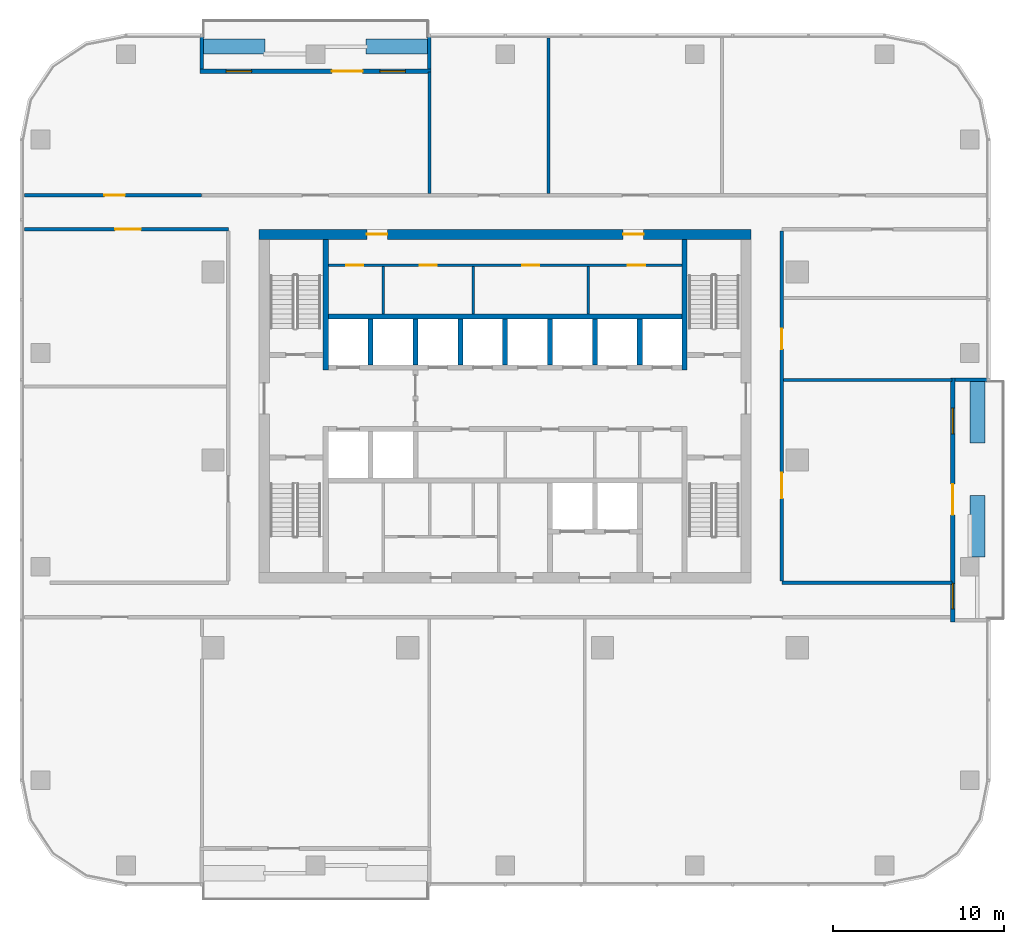
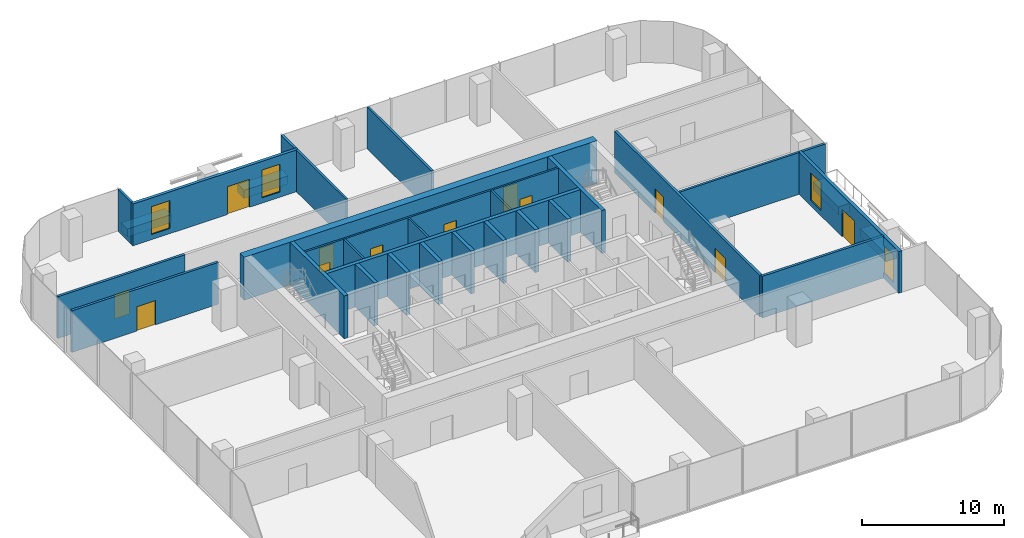
# One storey, part 9 of 14: 31 walls, 12 doors, 4 windows, 16 openings.
"""IFC4 building model written with IfcOpenShell, lengths in metres."""

from ifc_helpers import new_model, si_unit, direction, frame, frame_2d, origin, place, context, subcontext, project, spatial, rectangle, extrude, material, layer, layer_set, type_object, element, fill, save


model = new_model("IFC4")

# Units and contexts
model_context = context("Model", 3, precision=1e-05, world=origin(), true_north=direction((0.0, 1.0)))
body_context = subcontext(model_context, "Body", "Model", "MODEL_VIEW")
ifc_project = project(units=[si_unit("LENGTHUNIT", "METRE"), si_unit("AREAUNIT", "SQUARE_METRE"), si_unit("VOLUMEUNIT", "CUBIC_METRE"), si_unit("PLANEANGLEUNIT", "RADIAN"), si_unit("MASSUNIT", "GRAM", prefix="KILO")], contexts=[model_context])

# Site, building, storey
site_placement = place(None, origin())
site = spatial("IfcSite", under=ifc_project, at=site_placement, CompositionType="ELEMENT")
building_placement = place(site_placement, origin())
building = spatial("IfcBuilding", under=site, at=building_placement, Name="Mopane Tessera Tower", CompositionType="ELEMENT")
storey_placement = place(building_placement, frame((0.0, 0.0, 219.0)))
storey = spatial("IfcBuildingStorey", under=building, at=storey_placement, Name="L46", CompositionType="ELEMENT", Elevation=219.0)

# Walls
ifc_material_1 = material(Name="Fire-rated gypsum board partition")
ifc_layer_1 = layer(ifc_material_1, 0.14990234375)
ifc_layer_set_1 = layer_set([ifc_layer_1], Name="Fire-rated gypsum board partition")
wall_type_1 = type_object("IfcWallType", Name="Core room partition 150 mm", PredefinedType="PARTITIONING", material=ifc_layer_set_1)
for number, where, z_axis, x_axis, name in (
    (1, (-7.125, 8.550048828125, 0.0), (0.0, 0.0, 1.0), (0.0, 1.0, 0.0), "L46 Room partition"),
    (2, (-1.875, 8.550048828125, 0.0), (0.0, 0.0, 1.0), (0.0, 1.0, 0.0), "L46 Room partition"),
    (3, (4.875, 8.550048828125, 0.0), (0.0, 0.0, 1.0), (0.0, 1.0, 0.0), "L46 Room partition"),
):
    element("IfcWall", number, at=place(storey_placement, frame(where, z_axis=z_axis, x_axis=x_axis)), inside=storey, type_object=wall_type_1, Name=name, PredefinedType="PARTITIONING", context=body_context, shape_type="SweptSolid", body=[
        extrude(rectangle(XDim=2.77490234375, YDim=0.14990234375, at=frame_2d((1.387451171875, 0.0))), origin(), (0.0, 0.0, 1.0), 3.699951171875),
    ])

# Wall, openings, doors
wall_1_placement = place(storey_placement, frame((-10.35009765625, 11.39990234375, 0.0), z_axis=(0.0, 0.0, 1.0), x_axis=(1.0, 0.0, 0.0)))
wall_1 = element("IfcWall", 4, at=wall_1_placement, inside=storey, type_object=wall_type_1, Name="L46 Corridor wall", PredefinedType="PARTITIONING", context=body_context, shape_type="SweptSolid", body=[
    extrude(rectangle(XDim=20.7001953125, YDim=0.14990234375, at=frame_2d((10.35009765625, 0.0))), origin(), (0.0, 0.0, 1.0), 3.699951171875),
])
opening_1_placement = place(wall_1_placement, frame((1.03759765625, 0.0, 0.0)))
opening_1 = element("IfcOpeningElement", 5, at=opening_1_placement, cuts=wall_1, Name="Opening RD1", PredefinedType="OPENING", context=body_context, shape_type="SweptSolid", body=[
    extrude(rectangle(XDim=1.0, YDim=2.10009765625, at=frame_2d((0.5, 1.050048828125))), frame((0.0, 0.0869140625, 0.0), z_axis=(0.0, -1.0, 0.0), x_axis=(1.0, 0.0, 0.0)), (0.0, 0.0, 1.0), 0.173828125),
])
opening_2_placement = place(wall_1_placement, frame((5.35009765625, 0.0, 0.0)))
opening_2 = element("IfcOpeningElement", 6, at=opening_2_placement, cuts=wall_1, Name="Opening RD1", PredefinedType="OPENING", context=body_context, shape_type="SweptSolid", body=[
    extrude(rectangle(XDim=1.0, YDim=2.10009765625, at=frame_2d((0.5, 1.050048828125))), frame((0.0, 0.0869140625, 0.0), z_axis=(0.0, -1.0, 0.0), x_axis=(1.0, 0.0, 0.0)), (0.0, 0.0, 1.0), 0.173828125),
])
opening_3_placement = place(wall_1_placement, frame((11.35009765625, 0.0, 0.0)))
opening_3 = element("IfcOpeningElement", 7, at=opening_3_placement, cuts=wall_1, Name="Opening RD1", PredefinedType="OPENING", context=body_context, shape_type="SweptSolid", body=[
    extrude(rectangle(XDim=1.0, YDim=2.10009765625, at=frame_2d((0.5, 1.050048828125))), frame((0.0, 0.0869140625, 0.0), z_axis=(0.0, -1.0, 0.0), x_axis=(1.0, 0.0, 0.0)), (0.0, 0.0, 1.0), 0.173828125),
])
opening_4_placement = place(wall_1_placement, frame((17.53759765625, 0.0, 0.0)))
opening_4 = element("IfcOpeningElement", 8, at=opening_4_placement, cuts=wall_1, Name="Opening RD1", PredefinedType="OPENING", context=body_context, shape_type="SweptSolid", body=[
    extrude(rectangle(XDim=1.0, YDim=2.10009765625, at=frame_2d((0.5, 1.050048828125))), frame((0.0, 0.0869140625, 0.0), z_axis=(0.0, -1.0, 0.0), x_axis=(1.0, 0.0, 0.0)), (0.0, 0.0, 1.0), 0.173828125),
])
ifc_material_2 = material(Name="Timber door", Category="wood")
door_type_1 = type_object("IfcDoorType", Name="Core room door 1000 x 2100", OperationType="SINGLE_SWING_LEFT", PredefinedType="DOOR", material=ifc_material_2)
door_1_placement = place(opening_1_placement, origin())
door_1 = element("IfcDoor", 9, at=door_1_placement, inside=storey, type_object=door_type_1, Name="L46 Room door", OperationType="SINGLE_SWING_LEFT", OverallHeight=2.10009765625, OverallWidth=1.0, PredefinedType="DOOR", context=body_context, shape_type="SweptSolid", body=[
    extrude(rectangle(XDim=1.0, YDim=2.10009765625, at=frame_2d((0.5, 1.050048828125))), frame((0.0, 0.02490234375, 0.0), z_axis=(0.0, -1.0, 0.0), x_axis=(1.0, 0.0, 0.0)), (0.0, 0.0, 1.0), 0.050048828125),
])
fill(opening_1, door_1)
door_2_placement = place(opening_2_placement, origin())
door_2 = element("IfcDoor", 10, at=door_2_placement, inside=storey, type_object=door_type_1, Name="L46 Room door", OperationType="SINGLE_SWING_LEFT", OverallHeight=2.10009765625, OverallWidth=1.0, PredefinedType="DOOR", context=body_context, shape_type="SweptSolid", body=[
    extrude(rectangle(XDim=1.0, YDim=2.10009765625, at=frame_2d((0.5, 1.050048828125))), frame((0.0, 0.02490234375, 0.0), z_axis=(0.0, -1.0, 0.0), x_axis=(1.0, 0.0, 0.0)), (0.0, 0.0, 1.0), 0.050048828125),
])
fill(opening_2, door_2)
door_3_placement = place(opening_3_placement, origin())
door_3 = element("IfcDoor", 11, at=door_3_placement, inside=storey, type_object=door_type_1, Name="L46 Room door", OperationType="SINGLE_SWING_LEFT", OverallHeight=2.10009765625, OverallWidth=1.0, PredefinedType="DOOR", context=body_context, shape_type="SweptSolid", body=[
    extrude(rectangle(XDim=1.0, YDim=2.10009765625, at=frame_2d((0.5, 1.050048828125))), frame((0.0, 0.02490234375, 0.0), z_axis=(0.0, -1.0, 0.0), x_axis=(1.0, 0.0, 0.0)), (0.0, 0.0, 1.0), 0.050048828125),
])
fill(opening_3, door_3)
door_4_placement = place(opening_4_placement, origin())
door_4 = element("IfcDoor", 12, at=door_4_placement, inside=storey, type_object=door_type_1, Name="L46 Room door", OperationType="SINGLE_SWING_LEFT", OverallHeight=2.10009765625, OverallWidth=1.0, PredefinedType="DOOR", context=body_context, shape_type="SweptSolid", body=[
    extrude(rectangle(XDim=1.0, YDim=2.10009765625, at=frame_2d((0.5, 1.050048828125))), frame((0.0, 0.02490234375, 0.0), z_axis=(0.0, -1.0, 0.0), x_axis=(1.0, 0.0, 0.0)), (0.0, 0.0, 1.0), 0.050048828125),
])
fill(opening_4, door_4)

ifc_material_3 = material(Name="Concrete C70/85", Category="concrete")
ifc_layer_2 = layer(ifc_material_3, 0.60009765625)
ifc_layer_set_2 = layer_set([ifc_layer_2], Name="Concrete C70/85")
wall_type_2 = type_object("IfcWallType", Name="Core shear wall 600 mm", PredefinedType="SHEAR", material=ifc_layer_set_2)
wall_2_placement = place(storey_placement, frame((-14.39990234375, 13.199951171875, 0.0), z_axis=(0.0, 0.0, 1.0), x_axis=(1.0, 0.0, 0.0)))
wall_2 = element("IfcWall", 13, at=wall_2_placement, inside=storey, type_object=wall_type_2, Name="L46 Core wall north", PredefinedType="SHEAR", context=body_context, shape_type="SweptSolid", body=[
    extrude(rectangle(XDim=28.7998046875, YDim=0.60009765625, at=frame_2d((14.39990234375, 0.0))), origin(), (0.0, 0.0, 1.0), 3.699951171875),
])
opening_5_placement = place(wall_2_placement, frame((6.300048828125, 0.0, 0.0)))
opening_5 = element("IfcOpeningElement", 14, at=opening_5_placement, cuts=wall_2, Name="Opening RD2", PredefinedType="OPENING", context=body_context, shape_type="SweptSolid", body=[
    extrude(rectangle(XDim=1.199951171875, YDim=2.10009765625, at=frame_2d((0.60009765625, 1.050048828125))), frame((0.0, 0.31201171875, 0.0), z_axis=(0.0, -1.0, 0.0), x_axis=(1.0, 0.0, 0.0)), (0.0, 0.0, 1.0), 0.6240234375),
])
opening_6_placement = place(wall_2_placement, frame((21.300048828125, 0.0, 0.0)))
opening_6 = element("IfcOpeningElement", 15, at=opening_6_placement, cuts=wall_2, Name="Opening RD2", PredefinedType="OPENING", context=body_context, shape_type="SweptSolid", body=[
    extrude(rectangle(XDim=1.199951171875, YDim=2.10009765625, at=frame_2d((0.60009765625, 1.050048828125))), frame((0.0, 0.31201171875, 0.0), z_axis=(0.0, -1.0, 0.0), x_axis=(1.0, 0.0, 0.0)), (0.0, 0.0, 1.0), 0.6240234375),
])
ifc_material_4 = material(Name="Timber door", Category="wood")
door_type_2 = type_object("IfcDoorType", Name="Core corridor door 1200 x 2100", OperationType="SINGLE_SWING_LEFT", PredefinedType="DOOR", material=ifc_material_4)
door_5_placement = place(opening_5_placement, origin())
door_5 = element("IfcDoor", 16, at=door_5_placement, inside=storey, type_object=door_type_2, Name="L46 Corridor door", OperationType="SINGLE_SWING_LEFT", OverallHeight=2.10009765625, OverallWidth=1.199951171875, PredefinedType="DOOR", context=body_context, shape_type="SweptSolid", body=[
    extrude(rectangle(XDim=1.199951171875, YDim=2.10009765625, at=frame_2d((0.60009765625, 1.050048828125))), frame((0.0, 0.02490234375, 0.0), z_axis=(0.0, -1.0, 0.0), x_axis=(1.0, 0.0, 0.0)), (0.0, 0.0, 1.0), 0.050048828125),
])
fill(opening_5, door_5)
door_6_placement = place(opening_6_placement, origin())
door_6 = element("IfcDoor", 17, at=door_6_placement, inside=storey, type_object=door_type_2, Name="L46 Corridor door", OperationType="SINGLE_SWING_RIGHT", OverallHeight=2.10009765625, OverallWidth=1.199951171875, PredefinedType="DOOR", context=body_context, shape_type="SweptSolid", body=[
    extrude(rectangle(XDim=1.199951171875, YDim=2.10009765625, at=frame_2d((0.60009765625, 1.050048828125))), frame((0.0, 0.02490234375, 0.0), z_axis=(0.0, -1.0, 0.0), x_axis=(1.0, 0.0, 0.0)), (0.0, 0.0, 1.0), 0.050048828125),
])
fill(opening_6, door_6)

# Walls
ifc_material_5 = material(Name="Concrete C60/75", Category="concrete")
ifc_layer_3 = layer(ifc_material_5, 0.300048828125)
ifc_layer_set_3 = layer_set([ifc_layer_3], Name="Concrete C60/75")
wall_type_3 = type_object("IfcWallType", Name="Core spine wall 300 mm", PredefinedType="SHEAR", material=ifc_layer_set_3)
for number, where, z_axis, x_axis, name in (
    (18, (-10.5, 5.25, 0.0), (0.0, 0.0, 1.0), (0.0, 1.0, 0.0), "L46 Core spine wall"),
    (19, (10.5, 5.25, 0.0), (0.0, 0.0, 1.0), (0.0, 1.0, 0.0), "L46 Core spine wall"),
):
    element("IfcWall", number, at=place(storey_placement, frame(where, z_axis=z_axis, x_axis=x_axis)), inside=storey, type_object=wall_type_3, Name=name, PredefinedType="SHEAR", context=body_context, shape_type="SweptSolid", body=[
        extrude(rectangle(XDim=7.64990234375, YDim=0.300048828125, at=frame_2d((3.824951171875, 0.0))), origin(), (0.0, 0.0, 1.0), 3.699951171875),
    ])
ifc_material_6 = material(Name="Gypsum board on staggered steel studs, double layer each face, acoustic mineral wool infill", Category="steel")
ifc_layer_4 = layer(ifc_material_6, 0.175048828125)
ifc_layer_set_4 = layer_set([ifc_layer_4], Name="Gypsum board on staggered steel studs, double layer each face, acoustic mineral wool infill")
wall_type_4 = type_object("IfcWallType", Name="Gypsum board acoustic partition 175, rated EI 60", PredefinedType="PARTITIONING", material=ifc_layer_set_4)
wall_3_placement = place(storey_placement, frame((16.300048828125, 4.68994140625, 0.0), z_axis=(0.0, 0.0, 1.0), x_axis=(1.0, 0.0, 0.0)))
element("IfcWall", 20, at=wall_3_placement, inside=storey, type_object=wall_type_4, Name="Partition L46:004", PredefinedType="PARTITIONING", context=body_context, shape_type="SweptSolid", body=[
    extrude(rectangle(XDim=9.849853515625, YDim=0.175048828125, at=frame_2d((4.9248046875, 0.0))), origin(), (0.0, 0.0, 1.0), 3.60009765625),
])
wall_4_placement = place(storey_placement, frame((-4.43994140625, 15.60009765625, 0.0), z_axis=(0.0, 0.0, 1.0), x_axis=(0.0, 1.0, 0.0)))
element("IfcWall", 21, at=wall_4_placement, inside=storey, type_object=wall_type_4, Name="Partition L46:014", PredefinedType="PARTITIONING", context=body_context, shape_type="SweptSolid", body=[
    extrude(rectangle(XDim=7.099853515625, YDim=0.175048828125, at=frame_2d((3.5498046875, 0.0))), origin(), (0.0, 0.0, 1.0), 3.60009765625),
])
wall_5_placement = place(storey_placement, frame((2.5400390625, 15.60009765625, 0.0), z_axis=(0.0, 0.0, 1.0), x_axis=(0.0, 1.0, 0.0)))
element("IfcWall", 22, at=wall_5_placement, inside=storey, type_object=wall_type_4, Name="Partition L46:015", PredefinedType="PARTITIONING", context=body_context, shape_type="SweptSolid", body=[
    extrude(rectangle(XDim=9.099853515625, YDim=0.175048828125, at=frame_2d((4.5498046875, 0.0))), origin(), (0.0, 0.0, 1.0), 3.60009765625),
])
ifc_material_7 = material(Name="Gypsum board on steel studs, two layers each face, mineral wool infill", Category="steel")
ifc_layer_5 = layer(ifc_material_7, 0.199951171875)
ifc_layer_set_5 = layer_set([ifc_layer_5], Name="Gypsum board on steel studs, two layers each face, mineral wool infill")
wall_type_5 = type_object("IfcWallType", Name="Gypsum board corridor wall 200, rated EI 60", PredefinedType="PARTITIONING", material=ifc_layer_set_5)
wall_6_placement = place(storey_placement, frame((16.199951171875, -7.199951171875, 0.0), z_axis=(0.0, 0.0, 1.0), x_axis=(1.0, 0.0, 0.0)))
element("IfcWall", 23, at=wall_6_placement, inside=storey, type_object=wall_type_5, Name="Partition L46:002", PredefinedType="PARTITIONING", context=body_context, shape_type="SweptSolid", body=[
    extrude(rectangle(XDim=9.949951171875, YDim=0.199951171875, at=frame_2d((4.97509765625, 0.0))), origin(), (0.0, 0.0, 1.0), 3.60009765625),
])

# Wall, opening, door
wall_7_placement = place(storey_placement, frame((-28.14990234375, 13.5, 0.0), z_axis=(0.0, 0.0, 1.0), x_axis=(1.0, 0.0, 0.0)))
wall_7 = element("IfcWall", 24, at=wall_7_placement, inside=storey, type_object=wall_type_5, Name="Partition L46:006", PredefinedType="PARTITIONING", context=body_context, shape_type="SweptSolid", body=[
    extrude(rectangle(XDim=11.949951171875, YDim=0.199951171875, at=frame_2d((5.97509765625, 0.0))), origin(), (0.0, 0.0, 1.0), 3.60009765625),
])
opening_7_placement = place(wall_7_placement, frame((5.324951171875, 0.0, 0.0)))
opening_7 = element("IfcOpeningElement", 25, at=opening_7_placement, cuts=wall_7, Name="Opening L46-06", PredefinedType="OPENING", context=body_context, shape_type="SweptSolid", body=[
    extrude(rectangle(XDim=1.5, YDim=2.10009765625, at=frame_2d((0.75, 1.050048828125))), frame((0.0, 0.112060546875, 0.0), z_axis=(0.0, -1.0, 0.0), x_axis=(1.0, 0.0, 0.0)), (0.0, 0.0, 1.0), 0.223876953125),
])
ifc_material_8 = material(Name="Timber veneered steel-framed fire door", Category="steel")
door_type_3 = type_object("IfcDoorType", Name="Fire door pair FD60 1500 x 2100", OperationType="DOUBLE_DOOR_SINGLE_SWING", PredefinedType="DOOR", material=ifc_material_8)
door_7_placement = place(opening_7_placement, origin())
door_7 = element("IfcDoor", 26, at=door_7_placement, inside=storey, type_object=door_type_3, Name="Door L46-06", ObjectType="D17A", OperationType="DOUBLE_DOOR_SINGLE_SWING", OverallHeight=2.10009765625, OverallWidth=1.5, PredefinedType="DOOR", context=body_context, shape_type="SweptSolid", body=[
    extrude(rectangle(XDim=1.5, YDim=2.10009765625, at=frame_2d((0.75, 1.050048828125))), frame((0.0, 0.02490234375, 0.0), z_axis=(0.0, -1.0, 0.0), x_axis=(1.0, 0.0, 0.0)), (0.0, 0.0, 1.0), 0.050048828125),
])
fill(opening_7, door_7)

wall_8_placement = place(storey_placement, frame((-28.14990234375, 15.5, 0.0), z_axis=(0.0, 0.0, 1.0), x_axis=(1.0, 0.0, 0.0)))
wall_8 = element("IfcWall", 27, at=wall_8_placement, inside=storey, type_object=wall_type_5, Name="Partition L46:008", PredefinedType="PARTITIONING", context=body_context, shape_type="SweptSolid", body=[
    extrude(rectangle(XDim=10.364990234375, YDim=0.199951171875, at=frame_2d((5.1826171875, 0.0))), origin(), (0.0, 0.0, 1.0), 3.60009765625),
])
opening_8_placement = place(wall_8_placement, frame((4.6826171875, 0.0, 0.0)))
opening_8 = element("IfcOpeningElement", 28, at=opening_8_placement, cuts=wall_8, Name="Opening L46-05", PredefinedType="OPENING", context=body_context, shape_type="SweptSolid", body=[
    extrude(rectangle(XDim=1.199951171875, YDim=2.10009765625, at=frame_2d((0.60009765625, 1.050048828125))), frame((0.0, 0.112060546875, 0.0), z_axis=(0.0, -1.0, 0.0), x_axis=(1.0, 0.0, 0.0)), (0.0, 0.0, 1.0), 0.223876953125),
])
ifc_material_9 = material(Name="Timber veneered steel-framed fire door", Category="steel")
door_type_4 = type_object("IfcDoorType", Name="Fire door FD60 1200 x 2100", OperationType="SINGLE_SWING_LEFT", PredefinedType="DOOR", material=ifc_material_9)
door_8_placement = place(opening_8_placement, origin())
door_8 = element("IfcDoor", 29, at=door_8_placement, inside=storey, type_object=door_type_4, Name="Door L46-05", ObjectType="D15A", OperationType="SINGLE_SWING_RIGHT", OverallHeight=2.10009765625, OverallWidth=1.199951171875, PredefinedType="DOOR", context=body_context, shape_type="SweptSolid", body=[
    extrude(rectangle(XDim=1.199951171875, YDim=2.10009765625, at=frame_2d((0.60009765625, 1.050048828125))), frame((0.0, 0.02490234375, 0.0), z_axis=(0.0, -1.0, 0.0), x_axis=(1.0, 0.0, 0.0)), (0.0, 0.0, 1.0), 0.050048828125),
])
fill(opening_8, door_8)

# Wall, openings, doors
wall_9_placement = place(storey_placement, frame((16.199951171875, -7.10009765625, 0.0), z_axis=(0.0, 0.0, 1.0), x_axis=(0.0, 1.0, 0.0)))
wall_9 = element("IfcWall", 30, at=wall_9_placement, inside=storey, type_object=wall_type_5, Name="Partition L46:018", PredefinedType="PARTITIONING", context=body_context, shape_type="SweptSolid", body=[
    extrude(rectangle(XDim=20.5, YDim=0.199951171875, at=frame_2d((10.25, 0.0))), origin(), (0.0, 0.0, 1.0), 3.60009765625),
])
opening_9_placement = place(wall_9_placement, frame((4.844970703125, 0.0, 0.0)))
opening_9 = element("IfcOpeningElement", 31, at=opening_9_placement, cuts=wall_9, Name="Opening L46-10", PredefinedType="OPENING", context=body_context, shape_type="SweptSolid", body=[
    extrude(rectangle(XDim=1.5, YDim=2.10009765625, at=frame_2d((0.75, 1.050048828125))), frame((0.0, 0.112060546875, 0.0), z_axis=(0.0, -1.0, 0.0), x_axis=(1.0, 0.0, 0.0)), (0.0, 0.0, 1.0), 0.223876953125),
])
opening_10_placement = place(wall_9_placement, frame((13.58740234375, 0.0, 0.0)))
opening_10 = element("IfcOpeningElement", 32, at=opening_10_placement, cuts=wall_9, Name="Opening L46-14", PredefinedType="OPENING", context=body_context, shape_type="SweptSolid", body=[
    extrude(rectangle(XDim=1.199951171875, YDim=2.10009765625, at=frame_2d((0.60009765625, 1.050048828125))), frame((0.0, 0.112060546875, 0.0), z_axis=(0.0, -1.0, 0.0), x_axis=(1.0, 0.0, 0.0)), (0.0, 0.0, 1.0), 0.223876953125),
])
door_9_placement = place(opening_10_placement, origin())
door_9 = element("IfcDoor", 33, at=door_9_placement, inside=storey, type_object=door_type_4, Name="Door L46-14", ObjectType="D15A", OperationType="SINGLE_SWING_RIGHT", OverallHeight=2.10009765625, OverallWidth=1.199951171875, PredefinedType="DOOR", context=body_context, shape_type="SweptSolid", body=[
    extrude(rectangle(XDim=1.199951171875, YDim=2.10009765625, at=frame_2d((0.60009765625, 1.050048828125))), frame((0.0, 0.02490234375, 0.0), z_axis=(0.0, -1.0, 0.0), x_axis=(1.0, 0.0, 0.0)), (0.0, 0.0, 1.0), 0.050048828125),
])
fill(opening_10, door_9)
door_10_placement = place(opening_9_placement, origin())
door_10 = element("IfcDoor", 34, at=door_10_placement, inside=storey, type_object=door_type_3, Name="Door L46-10", ObjectType="D17A", OperationType="DOUBLE_DOOR_SINGLE_SWING", OverallHeight=2.10009765625, OverallWidth=1.5, PredefinedType="DOOR", context=body_context, shape_type="SweptSolid", body=[
    extrude(rectangle(XDim=1.5, YDim=2.10009765625, at=frame_2d((0.75, 1.050048828125))), frame((0.0, 0.02490234375, 0.0), z_axis=(0.0, -1.0, 0.0), x_axis=(1.0, 0.0, 0.0)), (0.0, 0.0, 1.0), 0.050048828125),
])
fill(opening_9, door_10)

# Walls
ifc_material_10 = material(Name="Concrete C50/60", Category="concrete")
ifc_layer_6 = layer(ifc_material_10, 0.300048828125)
ifc_layer_set_6 = layer_set([ifc_layer_6], Name="Concrete C50/60")
wall_type_6 = type_object("IfcWallType", Name="Lift and stair shaft wall 300 mm", PredefinedType="SOLIDWALL", material=ifc_layer_set_6)
wall_10_placement = place(storey_placement, frame((-10.35009765625, 8.39990234375, 0.0), z_axis=(0.0, 0.0, 1.0), x_axis=(1.0, 0.0, 0.0)))
element("IfcWall", 35, at=wall_10_placement, inside=storey, type_object=wall_type_6, Name="L46 Lift shaft rear wall", PredefinedType="SOLIDWALL", context=body_context, shape_type="SweptSolid", body=[
    extrude(rectangle(XDim=20.7001953125, YDim=0.300048828125, at=frame_2d((10.35009765625, 0.0))), origin(), (0.0, 0.0, 1.0), 3.699951171875),
])
for number, where, z_axis, x_axis, name in (
    (36, (-7.875, 5.550048828125, 0.0), (0.0, 0.0, 1.0), (0.0, 1.0, 0.0), "L46 Lift shaft wall"),
    (37, (-5.25, 5.550048828125, 0.0), (0.0, 0.0, 1.0), (0.0, 1.0, 0.0), "L46 Lift shaft wall"),
    (38, (-2.625, 5.550048828125, 0.0), (0.0, 0.0, 1.0), (0.0, 1.0, 0.0), "L46 Lift shaft wall"),
    (39, (0.0, 5.550048828125, 0.0), (0.0, 0.0, 1.0), (0.0, 1.0, 0.0), "L46 Lift shaft wall"),
    (40, (2.625, 5.550048828125, 0.0), (0.0, 0.0, 1.0), (0.0, 1.0, 0.0), "L46 Lift shaft wall"),
    (41, (5.25, 5.550048828125, 0.0), (0.0, 0.0, 1.0), (0.0, 1.0, 0.0), "L46 Lift shaft wall"),
    (42, (7.875, 5.550048828125, 0.0), (0.0, 0.0, 1.0), (0.0, 1.0, 0.0), "L46 Lift shaft wall"),
):
    element("IfcWall", number, at=place(storey_placement, frame(where, z_axis=z_axis, x_axis=x_axis)), inside=storey, type_object=wall_type_6, Name=name, PredefinedType="SOLIDWALL", context=body_context, shape_type="SweptSolid", body=[
        extrude(rectangle(XDim=2.699951171875, YDim=0.300048828125, at=frame_2d((1.35009765625, 0.0))), origin(), (0.0, 0.0, 1.0), 3.699951171875),
    ])
ifc_material_11 = material(Name="Reinforced concrete C32/40 with waterproofing", Category="concrete")
ifc_layer_7 = layer(ifc_material_11, 0.89990234375)
ifc_layer_set_7 = layer_set([ifc_layer_7], Name="Reinforced concrete C32/40 with waterproofing")
wall_type_7 = type_object("IfcWallType", Name="Planter trough 3600 x 900", PredefinedType="STANDARD", material=ifc_layer_set_7)
for number, where, z_axis, x_axis, name in (
    (43, (27.64990234375, -5.679931640625, 0.0), (0.0, 0.0, 1.0), (0.0, 1.0, 0.0), "e:nw:L46:N2:pl0"),
    (44, (27.64990234375, 0.987548828125, 0.0), (0.0, 0.0, 1.0), (0.0, 1.0, 0.0), "e:nw:L46:N2:pl1"),
    (45, (-4.5400390625, 24.199951171875, 0.0), (0.0, 0.0, 1.0), (-1.0, 0.0, 0.0), "e:nw:L46:N3:pl0"),
    (46, (-14.06005859375, 24.199951171875, 0.0), (0.0, 0.0, 1.0), (-1.0, 0.0, 0.0), "e:nw:L46:N3:pl1"),
):
    element("IfcWall", number, at=place(storey_placement, frame(where, z_axis=z_axis, x_axis=x_axis)), inside=storey, type_object=wall_type_7, Name=name, PredefinedType="STANDARD", context=body_context, shape_type="SweptSolid", body=[
        extrude(rectangle(XDim=3.599853515625, YDim=0.89990234375, at=frame_2d((1.7998046875, 0.0))), origin(), (0.0, 0.0, 1.0), 0.699951171875),
    ])
ifc_material_12 = material(Name="Blockwork with glazed tile facing", Category="masonry")
ifc_layer_8 = layer(ifc_material_12, 0.199951171875)
ifc_layer_set_8 = layer_set([ifc_layer_8], Name="Blockwork with glazed tile facing")
wall_type_8 = type_object("IfcWallType", Name="Terrace cheek wall 200", PredefinedType="STANDARD", material=ifc_layer_set_8)
for number, where, z_axis, x_axis, name in (
    (47, (28.199951171875, 4.6875, 0.0), (0.0, 0.0, 1.0), (-1.0, 0.0, 0.0), "e:nw:L46:N2:cheekb"),
    (48, (-4.43994140625, 24.75, 0.0), (0.0, 0.0, 1.0), (0.0, -1.0, 0.0), "e:nw:L46:N3:cheeka"),
    (49, (-17.760009765625, 24.75, 0.0), (0.0, 0.0, 1.0), (0.0, -1.0, 0.0), "e:nw:L46:N3:cheekb"),
):
    element("IfcWall", number, at=place(storey_placement, frame(where, z_axis=z_axis, x_axis=x_axis)), inside=storey, type_object=wall_type_8, Name=name, PredefinedType="STANDARD", context=body_context, shape_type="SweptSolid", body=[
        extrude(rectangle(XDim=1.875, YDim=0.199951171875, at=frame_2d((0.9375, 0.0))), origin(), (0.0, 0.0, 1.0), 3.60009765625),
    ])

# Wall, openings, windows, door
ifc_material_13 = material(Name="Blockwork with ultramarine glazed tile facing", Category="masonry")
ifc_layer_9 = layer(ifc_material_13, 0.25)
ifc_layer_set_9 = layer_set([ifc_layer_9], Name="Blockwork with ultramarine glazed tile facing")
wall_type_9 = type_object("IfcWallType", Name="Tile-clad external wall 250, ultramarine", PredefinedType="STANDARD", material=ifc_layer_set_9)
wall_11_placement = place(storey_placement, frame((26.199951171875, -9.47509765625, 0.0), z_axis=(0.0, 0.0, 1.0), x_axis=(0.0, 1.0, 0.0)))
wall_11 = element("IfcWall", 50, at=wall_11_placement, inside=storey, type_object=wall_type_9, Name="e:nw:L46:N2:back", PredefinedType="STANDARD", context=body_context, shape_type="SweptSolid", body=[
    extrude(rectangle(XDim=14.2626953125, YDim=0.25, at=frame_2d((7.13134765625, 0.0))), origin(), (0.0, 0.0, 1.0), 3.60009765625),
])
opening_11_placement = place(wall_11_placement, frame((0.75, 0.0, 0.449951171875)))
opening_11 = element("IfcOpeningElement", 51, at=opening_11_placement, cuts=wall_11, Name="Opening NW462A", PredefinedType="OPENING", context=body_context, shape_type="SweptSolid", body=[
    extrude(rectangle(XDim=1.5, YDim=2.39990234375, at=frame_2d((0.75, 1.199951171875))), frame((0.0, 0.136962890625, 0.0), z_axis=(0.0, -1.0, 0.0), x_axis=(1.0, 0.0, 0.0)), (0.0, 0.0, 1.0), 0.27392578125),
])
opening_12_placement = place(wall_11_placement, frame((6.25, 0.0, 0.0)))
opening_12 = element("IfcOpeningElement", 52, at=opening_12_placement, cuts=wall_11, Name="Opening ND462", PredefinedType="OPENING", context=body_context, shape_type="SweptSolid", body=[
    extrude(rectangle(XDim=1.800048828125, YDim=2.39990234375, at=frame_2d((0.89990234375, 1.199951171875))), frame((0.0, 0.136962890625, 0.0), z_axis=(0.0, -1.0, 0.0), x_axis=(1.0, 0.0, 0.0)), (0.0, 0.0, 1.0), 0.27392578125),
])
opening_13_placement = place(wall_11_placement, frame((11.0, 0.0, 0.449951171875)))
opening_13 = element("IfcOpeningElement", 53, at=opening_13_placement, cuts=wall_11, Name="Opening NW462B", PredefinedType="OPENING", context=body_context, shape_type="SweptSolid", body=[
    extrude(rectangle(XDim=1.5, YDim=2.39990234375, at=frame_2d((0.75, 1.199951171875))), frame((0.0, 0.136962890625, 0.0), z_axis=(0.0, -1.0, 0.0), x_axis=(1.0, 0.0, 0.0)), (0.0, 0.0, 1.0), 0.27392578125),
])
ifc_material_14 = material(Name="Clear laminated glass", Category="glass")
window_type = type_object("IfcWindowType", Name="Fixed window 1500 x 2400", PartitioningType="SINGLE_PANEL", PredefinedType="WINDOW", material=ifc_material_14)
window_1_placement = place(opening_11_placement, origin())
window_1 = element("IfcWindow", 54, at=window_1_placement, inside=storey, type_object=window_type, Name="e:nw:L46:N2:win0", OverallHeight=2.39990234375, OverallWidth=1.5, PartitioningType="SINGLE_PANEL", PredefinedType="WINDOW", context=body_context, shape_type="SweptSolid", body=[
    extrude(rectangle(XDim=1.5, YDim=2.39990234375, at=frame_2d((0.75, 1.199951171875))), frame((0.0, 0.030029296875, 0.0), z_axis=(0.0, -1.0, 0.0), x_axis=(1.0, 0.0, 0.0)), (0.0, 0.0, 1.0), 0.06005859375),
])
fill(opening_11, window_1)
window_2_placement = place(opening_13_placement, origin())
window_2 = element("IfcWindow", 55, at=window_2_placement, inside=storey, type_object=window_type, Name="e:nw:L46:N2:win2", OverallHeight=2.39990234375, OverallWidth=1.5, PartitioningType="SINGLE_PANEL", PredefinedType="WINDOW", context=body_context, shape_type="SweptSolid", body=[
    extrude(rectangle(XDim=1.5, YDim=2.39990234375, at=frame_2d((0.75, 1.199951171875))), frame((0.0, 0.030029296875, 0.0), z_axis=(0.0, -1.0, 0.0), x_axis=(1.0, 0.0, 0.0)), (0.0, 0.0, 1.0), 0.06005859375),
])
fill(opening_13, window_2)
ifc_material_15 = material(Name="Aluminium and clear glass", Category="aluminium")
door_type_5 = type_object("IfcDoorType", Name="Terrace double door 1800 x 2400", OperationType="DOUBLE_DOOR_SINGLE_SWING", PredefinedType="DOOR", material=ifc_material_15)
door_11_placement = place(opening_12_placement, origin())
door_11 = element("IfcDoor", 56, at=door_11_placement, inside=storey, type_object=door_type_5, Name="e:nw:L46:N2:door", ObjectType="D1", OperationType="DOUBLE_DOOR_SINGLE_SWING", OverallHeight=2.39990234375, OverallWidth=1.800048828125, PredefinedType="DOOR", context=body_context, shape_type="SweptSolid", body=[
    extrude(rectangle(XDim=1.800048828125, YDim=2.39990234375, at=frame_2d((0.89990234375, 1.199951171875))), frame((0.0, 0.02490234375, 0.0), z_axis=(0.0, -1.0, 0.0), x_axis=(1.0, 0.0, 0.0)), (0.0, 0.0, 1.0), 0.050048828125),
])
fill(opening_12, door_11)

wall_12_placement = place(storey_placement, frame((-4.340087890625, 22.75, 0.0), z_axis=(0.0, 0.0, 1.0), x_axis=(-1.0, 0.0, 0.0)))
wall_12 = element("IfcWall", 57, at=wall_12_placement, inside=storey, type_object=wall_type_9, Name="e:nw:L46:N3:back", PredefinedType="STANDARD", context=body_context, shape_type="SweptSolid", body=[
    extrude(rectangle(XDim=13.52001953125, YDim=0.25, at=frame_2d((6.760009765625, 0.0))), origin(), (0.0, 0.0, 1.0), 3.60009765625),
])
opening_14_placement = place(wall_12_placement, frame((1.5, 0.0, 0.449951171875)))
opening_14 = element("IfcOpeningElement", 58, at=opening_14_placement, cuts=wall_12, Name="Opening NW463A", PredefinedType="OPENING", context=body_context, shape_type="SweptSolid", body=[
    extrude(rectangle(XDim=1.5, YDim=2.39990234375, at=frame_2d((0.75, 1.199951171875))), frame((0.0, 0.136962890625, 0.0), z_axis=(0.0, -1.0, 0.0), x_axis=(1.0, 0.0, 0.0)), (0.0, 0.0, 1.0), 0.27392578125),
])
opening_15_placement = place(wall_12_placement, frame((4.0, 0.0, 0.0)))
opening_15 = element("IfcOpeningElement", 59, at=opening_15_placement, cuts=wall_12, Name="Opening ND463", PredefinedType="OPENING", context=body_context, shape_type="SweptSolid", body=[
    extrude(rectangle(XDim=1.800048828125, YDim=2.39990234375, at=frame_2d((0.89990234375, 1.199951171875))), frame((0.0, 0.136962890625, 0.0), z_axis=(0.0, -1.0, 0.0), x_axis=(1.0, 0.0, 0.0)), (0.0, 0.0, 1.0), 0.27392578125),
])
opening_16_placement = place(wall_12_placement, frame((10.5, 0.0, 0.449951171875)))
opening_16 = element("IfcOpeningElement", 60, at=opening_16_placement, cuts=wall_12, Name="Opening NW463B", PredefinedType="OPENING", context=body_context, shape_type="SweptSolid", body=[
    extrude(rectangle(XDim=1.5, YDim=2.39990234375, at=frame_2d((0.75, 1.199951171875))), frame((0.0, 0.136962890625, 0.0), z_axis=(0.0, -1.0, 0.0), x_axis=(1.0, 0.0, 0.0)), (0.0, 0.0, 1.0), 0.27392578125),
])
window_3_placement = place(opening_14_placement, origin())
window_3 = element("IfcWindow", 61, at=window_3_placement, inside=storey, type_object=window_type, Name="e:nw:L46:N3:win0", OverallHeight=2.39990234375, OverallWidth=1.5, PartitioningType="SINGLE_PANEL", PredefinedType="WINDOW", context=body_context, shape_type="SweptSolid", body=[
    extrude(rectangle(XDim=1.5, YDim=2.39990234375, at=frame_2d((0.75, 1.199951171875))), frame((0.0, 0.030029296875, 0.0), z_axis=(0.0, -1.0, 0.0), x_axis=(1.0, 0.0, 0.0)), (0.0, 0.0, 1.0), 0.06005859375),
])
fill(opening_14, window_3)
window_4_placement = place(opening_16_placement, origin())
window_4 = element("IfcWindow", 62, at=window_4_placement, inside=storey, type_object=window_type, Name="e:nw:L46:N3:win2", OverallHeight=2.39990234375, OverallWidth=1.5, PartitioningType="SINGLE_PANEL", PredefinedType="WINDOW", context=body_context, shape_type="SweptSolid", body=[
    extrude(rectangle(XDim=1.5, YDim=2.39990234375, at=frame_2d((0.75, 1.199951171875))), frame((0.0, 0.030029296875, 0.0), z_axis=(0.0, -1.0, 0.0), x_axis=(1.0, 0.0, 0.0)), (0.0, 0.0, 1.0), 0.06005859375),
])
fill(opening_16, window_4)
door_12_placement = place(opening_15_placement, origin())
door_12 = element("IfcDoor", 63, at=door_12_placement, inside=storey, type_object=door_type_5, Name="e:nw:L46:N3:door", ObjectType="D1", OperationType="DOUBLE_DOOR_SINGLE_SWING", OverallHeight=2.39990234375, OverallWidth=1.800048828125, PredefinedType="DOOR", context=body_context, shape_type="SweptSolid", body=[
    extrude(rectangle(XDim=1.800048828125, YDim=2.39990234375, at=frame_2d((0.89990234375, 1.199951171875))), frame((0.0, 0.02490234375, 0.0), z_axis=(0.0, -1.0, 0.0), x_axis=(1.0, 0.0, 0.0)), (0.0, 0.0, 1.0), 0.050048828125),
])
fill(opening_15, door_12)

save(model, "model.ifc")
